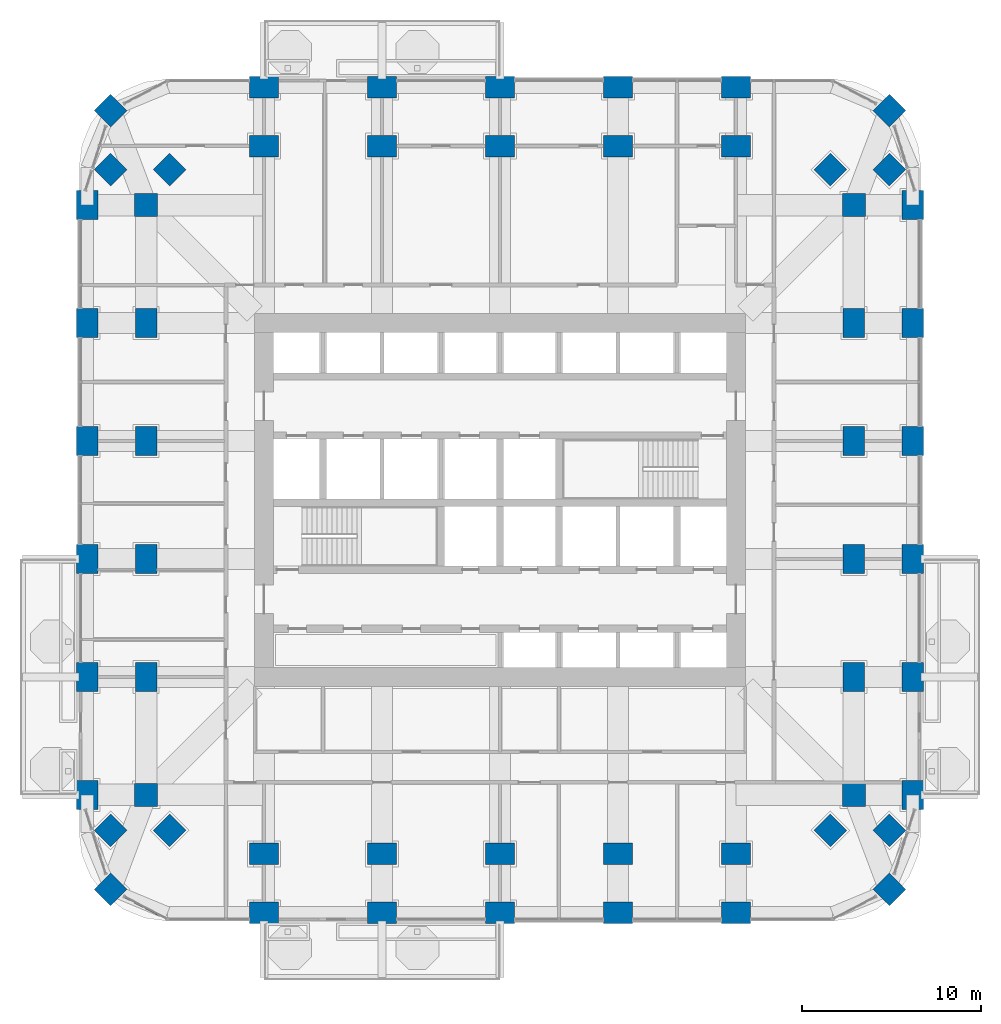
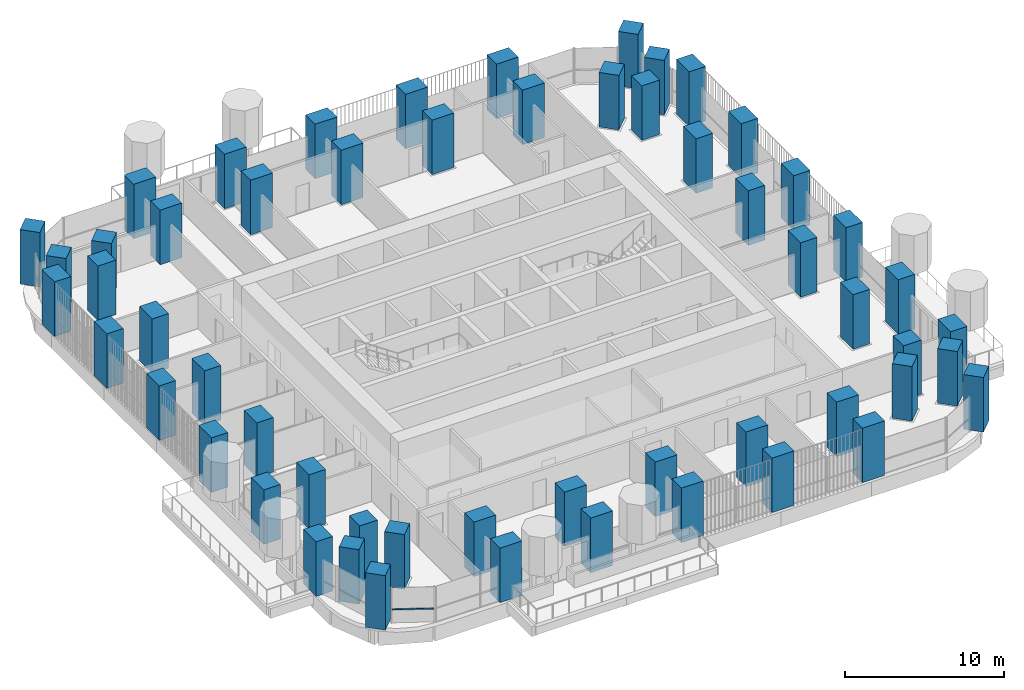
# One storey, part 1 of 21: 56 columns, 1 member, 1 element without a shape of its own.
"""IFC4 building model written with IfcOpenShell, lengths in metres."""

from ifc_helpers import new_model, si_unit, direction, frame, origin, origin_2d, place, context, subcontext, project, spatial, rectangle, extrude, material, material_profile, profile_set, type_object, element, aggregate, save


model = new_model("IFC4")

# Units and contexts
model_context = context("Model", 3, precision=1e-05, world=origin(), true_north=direction((0.0, 1.0)))
body_context = subcontext(model_context, "Body", "Model", "MODEL_VIEW")
ifc_project = project(units=[si_unit("LENGTHUNIT", "METRE"), si_unit("AREAUNIT", "SQUARE_METRE"), si_unit("VOLUMEUNIT", "CUBIC_METRE"), si_unit("PLANEANGLEUNIT", "RADIAN"), si_unit("MASSUNIT", "GRAM", prefix="KILO")], contexts=[model_context])

# Site, building, storey
site_placement = place(None, origin())
site = spatial("IfcSite", under=ifc_project, at=site_placement, CompositionType="ELEMENT")
building_placement = place(site_placement, origin())
building = spatial("IfcBuilding", under=site, at=building_placement, Name="Cobogo Forest Laboratory Tower", CompositionType="ELEMENT")
storey_placement = place(building_placement, frame((0.0, 0.0, 107.39990234375)))
storey = spatial("IfcBuildingStorey", under=building, at=storey_placement, Name="L24", CompositionType="ELEMENT", Elevation=107.39990234375)

# Columns
ifc_material_1 = material(Name="Concrete HA-50 (C50/60)", Category="concrete")
ifc_material_profile_1 = material_profile(ifc_material_1, rectangle(XDim=1.60009765625, YDim=1.199951171875, at=origin_2d()), Name="RC 1200x1600")
ifc_profile_set_1 = profile_set([ifc_material_profile_1], Name="Concrete HA-50 (C50/60)")
column_type_1 = type_object("IfcColumnType", Name="Blade column 1200x1600", PredefinedType="COLUMN", material=ifc_profile_set_1)
for number, where, z_axis, x_axis, name in (
    (1, (13.199951171875, 0.0, 0.0), (0.0, 0.0, 1.0), (1.0, 0.0, 0.0), "Column 3-A L24"),
    (2, (19.800048828125, 0.0, 0.0), (0.0, 0.0, 1.0), (1.0, 0.0, 0.0), "Column 4-A L24"),
    (3, (26.39990234375, 0.0, 0.0), (0.0, 0.0, 1.0), (1.0, 0.0, 0.0), "Column 5-A L24"),
    (4, (33.0, 0.0, 0.0), (0.0, 0.0, 1.0), (1.0, 0.0, 0.0), "Column 6-A L24"),
    (5, (39.60009765625, 0.0, 0.0), (0.0, 0.0, 1.0), (1.0, 0.0, 0.0), "Column 7-A L24"),
    (6, (3.300048828125, 6.60009765625, 0.0), (0.0, 0.0, 1.0), (0.0, 1.0, 0.0), "Column 1.1-B L24"),
    (7, (49.5, 6.60009765625, 0.0), (0.0, 0.0, 1.0), (0.0, 1.0, 0.0), "Column 8.1-B L24"),
    (8, (3.300048828125, 13.199951171875, 0.0), (0.0, 0.0, 1.0), (0.0, 1.0, 0.0), "Column 1.1-C L24"),
    (9, (49.5, 13.199951171875, 0.0), (0.0, 0.0, 1.0), (0.0, 1.0, 0.0), "Column 8.1-C L24"),
    (10, (3.300048828125, 19.800048828125, 0.0), (0.0, 0.0, 1.0), (0.0, 1.0, 0.0), "Column 1.1-D L24"),
    (11, (49.5, 19.800048828125, 0.0), (0.0, 0.0, 1.0), (0.0, 1.0, 0.0), "Column 8.1-D L24"),
    (12, (3.300048828125, 26.39990234375, 0.0), (0.0, 0.0, 1.0), (0.0, 1.0, 0.0), "Column 1.1-E L24"),
    (13, (49.5, 26.39990234375, 0.0), (0.0, 0.0, 1.0), (0.0, 1.0, 0.0), "Column 8.1-E L24"),
    (14, (3.300048828125, 33.0, 0.0), (0.0, 0.0, 1.0), (0.0, 1.0, 0.0), "Column 1.1-F L24"),
    (15, (49.5, 33.0, 0.0), (0.0, 0.0, 1.0), (0.0, 1.0, 0.0), "Column 8.1-F L24"),
    (16, (3.300048828125, 39.60009765625, 0.0), (0.0, 0.0, 1.0), (0.0, 1.0, 0.0), "Column 1.1-G L24"),
    (17, (49.5, 39.60009765625, 0.0), (0.0, 0.0, 1.0), (0.0, 1.0, 0.0), "Column 8.1-G L24"),
    (18, (13.199951171875, 46.199951171875, 0.0), (0.0, 0.0, 1.0), (1.0, 0.0, 0.0), "Column 3-H L24"),
    (19, (19.800048828125, 46.199951171875, 0.0), (0.0, 0.0, 1.0), (1.0, 0.0, 0.0), "Column 4-H L24"),
    (20, (26.39990234375, 46.199951171875, 0.0), (0.0, 0.0, 1.0), (1.0, 0.0, 0.0), "Column 5-H L24"),
    (21, (33.0, 46.199951171875, 0.0), (0.0, 0.0, 1.0), (1.0, 0.0, 0.0), "Column 6-H L24"),
    (22, (39.60009765625, 46.199951171875, 0.0), (0.0, 0.0, 1.0), (1.0, 0.0, 0.0), "Column 7-H L24"),
    (23, (13.199951171875, 3.300048828125, 0.0), (0.0, 0.0, 1.0), (1.0, 0.0, 0.0), "Column 3-A.1-C L24"),
    (24, (19.800048828125, 3.300048828125, 0.0), (0.0, 0.0, 1.0), (1.0, 0.0, 0.0), "Column 4-A.1-C L24"),
    (25, (26.39990234375, 3.300048828125, 0.0), (0.0, 0.0, 1.0), (1.0, 0.0, 0.0), "Column 5-A.1-C L24"),
    (26, (33.0, 3.300048828125, 0.0), (0.0, 0.0, 1.0), (1.0, 0.0, 0.0), "Column 6-A.1-C L24"),
    (27, (39.60009765625, 3.300048828125, 0.0), (0.0, 0.0, 1.0), (1.0, 0.0, 0.0), "Column 7-A.1-C L24"),
    (28, (13.199951171875, 42.89990234375, 0.0), (0.0, 0.0, 1.0), (1.0, 0.0, 0.0), "Column 3-G.1-C L24"),
    (29, (19.800048828125, 42.89990234375, 0.0), (0.0, 0.0, 1.0), (1.0, 0.0, 0.0), "Column 4-G.1-C L24"),
    (30, (26.39990234375, 42.89990234375, 0.0), (0.0, 0.0, 1.0), (1.0, 0.0, 0.0), "Column 5-G.1-C L24"),
    (31, (33.0, 42.89990234375, 0.0), (0.0, 0.0, 1.0), (1.0, 0.0, 0.0), "Column 6-G.1-C L24"),
    (32, (39.60009765625, 42.89990234375, 0.0), (0.0, 0.0, 1.0), (1.0, 0.0, 0.0), "Column 7-G.1-C L24"),
    (33, (6.60009765625, 13.199951171875, 0.0), (0.0, 0.0, 1.0), (0.0, 1.0, 0.0), "Column 2-C-D L24"),
    (34, (46.199951171875, 13.199951171875, 0.0), (0.0, 0.0, 1.0), (0.0, 1.0, 0.0), "Column 8-C-D L24"),
    (35, (6.60009765625, 19.800048828125, 0.0), (0.0, 0.0, 1.0), (0.0, 1.0, 0.0), "Column 2-D-D L24"),
    (36, (46.199951171875, 19.800048828125, 0.0), (0.0, 0.0, 1.0), (0.0, 1.0, 0.0), "Column 8-D-D L24"),
    (37, (6.60009765625, 26.39990234375, 0.0), (0.0, 0.0, 1.0), (0.0, 1.0, 0.0), "Column 2-E-D L24"),
    (38, (46.199951171875, 26.39990234375, 0.0), (0.0, 0.0, 1.0), (0.0, 1.0, 0.0), "Column 8-E-D L24"),
    (39, (6.60009765625, 33.0, 0.0), (0.0, 0.0, 1.0), (0.0, 1.0, 0.0), "Column 2-F-D L24"),
    (40, (46.199951171875, 33.0, 0.0), (0.0, 0.0, 1.0), (0.0, 1.0, 0.0), "Column 8-F-D L24"),
):
    element("IfcColumn", number, at=place(storey_placement, frame(where, z_axis=z_axis, x_axis=x_axis)), inside=storey, type_object=column_type_1, Name=name, PredefinedType="COLUMN", context=body_context, shape_type="SweptSolid", body=[
        extrude(rectangle(XDim=1.60009765625, YDim=1.199951171875, at=origin_2d()), origin(), (0.0, 0.0, 1.0), 4.2001953125),
    ])
ifc_material_profile_2 = material_profile(ifc_material_1, rectangle(XDim=1.300048828125, YDim=1.300048828125, at=origin_2d()), Name="RC 1300x1300")
ifc_profile_set_2 = profile_set([ifc_material_profile_2], Name="Concrete HA-50 (C50/60)")
column_type_2 = type_object("IfcColumnType", Name="Column 1300x1300", PredefinedType="COLUMN", material=ifc_profile_set_2)
for number, where, z_axis, x_axis, name in (
    (41, (4.617919921875, 1.318115234375, 0.0), (0.0, 0.0, 1.0), (0.707106781187, 0.707106781187, 0.0), "Column CNR-SW L24"),
    (42, (48.181884765625, 1.318115234375, 0.0), (0.0, 0.0, 1.0), (0.707106781187, 0.707106781187, 0.0), "Column CNR-SE L24"),
    (43, (4.617919921875, 44.882080078125, 0.0), (0.0, 0.0, 1.0), (0.707106781187, 0.707106781187, 0.0), "Column CNR-NW L24"),
    (44, (48.181884765625, 44.882080078125, 0.0), (0.0, 0.0, 1.0), (0.707106781187, 0.707106781187, 0.0), "Column CNR-NE L24"),
    (45, (6.60009765625, 6.60009765625, 0.0), (0.0, 0.0, 1.0), (1.0, 0.0, 0.0), "Column 2-B L24"),
    (46, (46.199951171875, 6.60009765625, 0.0), (0.0, 0.0, 1.0), (1.0, 0.0, 0.0), "Column 8-B L24"),
    (47, (6.60009765625, 39.60009765625, 0.0), (0.0, 0.0, 1.0), (1.0, 0.0, 0.0), "Column 2-G L24"),
    (48, (46.199951171875, 39.60009765625, 0.0), (0.0, 0.0, 1.0), (1.0, 0.0, 0.0), "Column 8-G L24"),
    (49, (4.617919921875, 4.617919921875, 0.0), (0.0, 0.0, 1.0), (0.707106781187, 0.707106781187, 0.0), "Column CNR-SW-C L24"),
    (50, (48.181884765625, 4.617919921875, 0.0), (0.0, 0.0, 1.0), (0.707106781187, 0.707106781187, 0.0), "Column CNR-SE-C L24"),
    (51, (4.617919921875, 41.58203125, 0.0), (0.0, 0.0, 1.0), (0.707106781187, 0.707106781187, 0.0), "Column CNR-NW-C L24"),
    (52, (48.181884765625, 41.58203125, 0.0), (0.0, 0.0, 1.0), (0.707106781187, 0.707106781187, 0.0), "Column CNR-NE-C L24"),
    (53, (7.91796875, 4.617919921875, 0.0), (0.0, 0.0, 1.0), (0.707106781187, 0.707106781187, 0.0), "Column CNR-SW-D L24"),
    (54, (44.882080078125, 4.617919921875, 0.0), (0.0, 0.0, 1.0), (0.707106781187, 0.707106781187, 0.0), "Column CNR-SE-D L24"),
    (55, (7.91796875, 41.58203125, 0.0), (0.0, 0.0, 1.0), (0.707106781187, 0.707106781187, 0.0), "Column CNR-NW-D L24"),
    (56, (44.882080078125, 41.58203125, 0.0), (0.0, 0.0, 1.0), (0.707106781187, 0.707106781187, 0.0), "Column CNR-NE-D L24"),
):
    element("IfcColumn", number, at=place(storey_placement, frame(where, z_axis=z_axis, x_axis=x_axis)), inside=storey, type_object=column_type_2, Name=name, PredefinedType="COLUMN", context=body_context, shape_type="SweptSolid", body=[
        extrude(rectangle(XDim=1.300048828125, YDim=1.300048828125, at=origin_2d()), origin(), (0.0, 0.0, 1.0), 4.2001953125),
    ])

# Curtain wall, member
ifc_material_2 = material(Name="Aluminium curtain wall", Category="aluminium")
curtain_wall_type = type_object("IfcCurtainWallType", Name="CW-1 unitised curtain wall, clear glazing, laboratory floors zones A and B", PredefinedType="USERDEFINED", material=ifc_material_2)
curtain_wall_placement = place(storey_placement, origin())
curtain_wall = element("IfcCurtainWall", 57, at=curtain_wall_placement, inside=storey, type_object=curtain_wall_type, Name="Curtain wall 34 L24", ObjectType="UNITISED CURTAIN WALL", PredefinedType="USERDEFINED")
ifc_material_3 = material(Name="Aluminium transom", Category="aluminium")
ifc_material_profile_3 = material_profile(ifc_material_3, rectangle(XDim=0.1201171875, YDim=0.06005859375, at=origin_2d()), Name="AL 60x120")
ifc_profile_set_3 = profile_set([ifc_material_profile_3], Name="Aluminium transom")
member_type = type_object("IfcMemberType", Name="TR-1 aluminium transom 60x120", PredefinedType="USERDEFINED", material=ifc_profile_set_3)
member_placement = place(storey_placement, frame((5.394775390625, 0.910888671875, 1.050048828125), z_axis=(0.885694740493, -0.464268054753, 0.0), x_axis=(0.464268054753, 0.885694740493, 0.0)))
member = element("IfcMember", 58, at=member_placement, type_object=member_type, Name="CW-1 transom 1.1", ObjectType="TRANSOM", PredefinedType="USERDEFINED", context=body_context, shape_type="SweptSolid", body=[
    extrude(rectangle(XDim=0.1201171875, YDim=0.06005859375, at=origin_2d()), origin(), (0.0, 0.0, 1.0), 2.655517578125),
])
aggregate(curtain_wall, [member])

save(model, "model.ifc")
